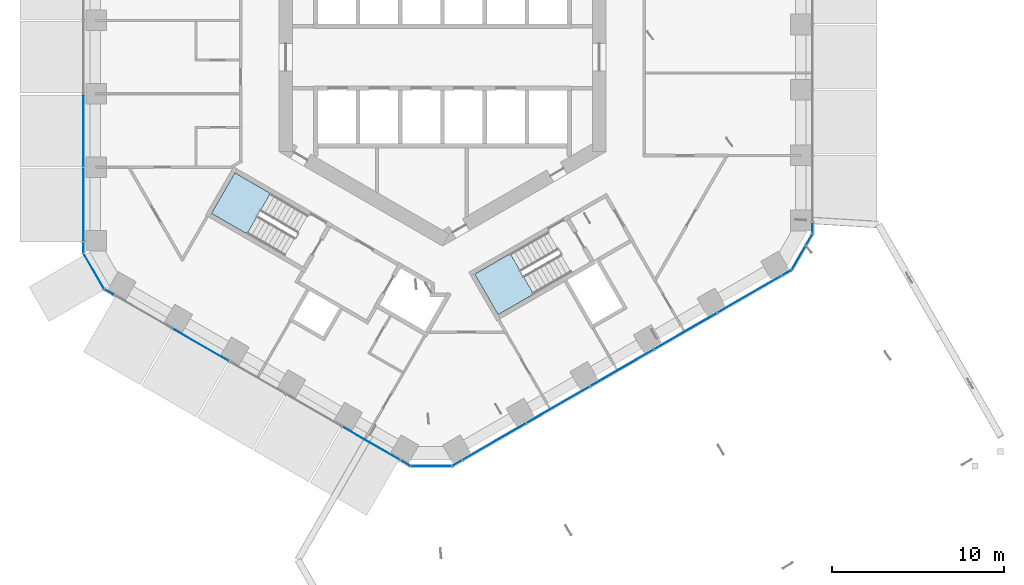
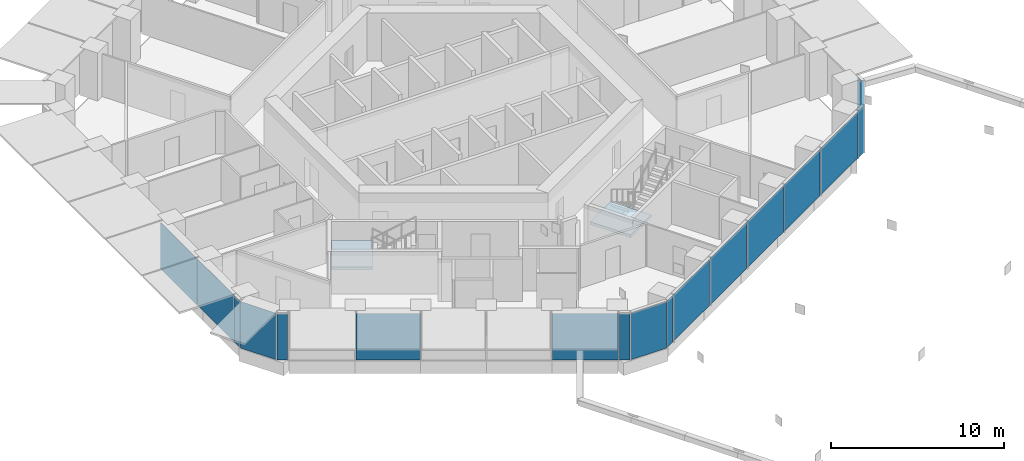
# One storey, part 8 of 22: 18 plates, 2 slabs, 8 elements without a shape of their own.
"""IFC4 building model written with IfcOpenShell, lengths in metres."""

from ifc_helpers import new_model, si_unit, direction, frame, origin, origin_2d, place, context, subcontext, project, spatial, polyline, rectangle, outline, extrude, material, layer, layer_set, type_object, element, aggregate, save


model = new_model("IFC4")

# Units and contexts
model_context = context("Model", 3, precision=1e-05, world=origin(), true_north=direction((0.0, 1.0)))
body_context = subcontext(model_context, "Body", "Model", "MODEL_VIEW")
ifc_project = project(units=[si_unit("LENGTHUNIT", "METRE"), si_unit("AREAUNIT", "SQUARE_METRE"), si_unit("VOLUMEUNIT", "CUBIC_METRE"), si_unit("PLANEANGLEUNIT", "RADIAN"), si_unit("MASSUNIT", "GRAM", prefix="KILO")], contexts=[model_context])

# Site, building, storey
site_placement = place(None, origin())
site = spatial("IfcSite", under=ifc_project, at=site_placement, CompositionType="ELEMENT")
building_placement = place(site_placement, origin())
building = spatial("IfcBuilding", under=site, at=building_placement, Name="Ayvan Gate Tower", CompositionType="ELEMENT")
storey_placement = place(building_placement, frame((0.0, 0.0, 62.89990234375)))
storey = spatial("IfcBuildingStorey", under=building, at=storey_placement, Name="L16", CompositionType="ELEMENT", Elevation=62.89990234375)

# Stair, slab
ifc_material_1 = material(Name="Concrete C40/50", Category="concrete")
stair_type = type_object("IfcStairType", Name="ST-EXIT", PredefinedType="HALF_TURN_STAIR", material=ifc_material_1)
stair_1_placement = place(storey_placement, origin())
stair_1 = element("IfcStair", 1, at=stair_1_placement, inside=storey, type_object=stair_type, Name="L16 Exit Stair S2", PredefinedType="HALF_TURN_STAIR")
ifc_layer_1 = layer(ifc_material_1, 0.199951171875)
ifc_layer_set_1 = layer_set([ifc_layer_1], Name="Concrete C40/50")
slab_type = type_object("IfcSlabType", Name="SL-LANDING-200", PredefinedType="LANDING", material=ifc_layer_set_1)
slab_1_placement = place(storey_placement, frame((0.0, 0.0, 1.5)))
slab_1 = element("IfcSlab", 2, at=slab_1_placement, type_object=slab_type, Name="STS2 landing 1", PredefinedType="LANDING", context=body_context, shape_type="SweptSolid", body=[
    extrude(outline(polyline([(-9.988525390625, -7.91064453125), (-12.049560546875, -6.720458984375), (-13.404541015625, -9.0673828125), (-11.343505859375, -10.257568359375), (-9.988525390625, -7.91064453125)])), origin(), (0.0, 0.0, 1.0), 0.2001953125),
])
aggregate(stair_1, [slab_1])

stair_2_placement = place(storey_placement, origin())
stair_2 = element("IfcStair", 3, at=stair_2_placement, inside=storey, type_object=stair_type, Name="L16 Exit Stair S3", PredefinedType="HALF_TURN_STAIR")
slab_2_placement = place(storey_placement, frame((0.0, 0.0, 1.5)))
slab_2 = element("IfcSlab", 4, at=slab_2_placement, type_object=slab_type, Name="STS3 landing 1", PredefinedType="LANDING", context=body_context, shape_type="SweptSolid", body=[
    extrude(outline(polyline([(3.93505859375, -11.405517578125), (1.873779296875, -12.595458984375), (3.228759765625, -14.9423828125), (5.2900390625, -13.75244140625), (3.93505859375, -11.405517578125)])), origin(), (0.0, 0.0, 1.0), 0.2001953125),
])
aggregate(stair_2, [slab_2])

# Curtain wall, plates
ifc_material_2 = material(Name="Bronze anodised aluminium", Category="aluminium")
ifc_layer_2 = layer(ifc_material_2, 0.199951171875)
ifc_layer_set_2 = layer_set([ifc_layer_2], Name="Bronze anodised aluminium")
curtain_wall_type_1 = type_object("IfcCurtainWallType", Name="Stick curtain wall CW-1", PredefinedType="NOTDEFINED", material=ifc_layer_set_2)
curtain_wall_1_placement = place(storey_placement, origin())
curtain_wall_1 = element("IfcCurtainWall", 5, at=curtain_wall_1_placement, inside=storey, type_object=curtain_wall_type_1, Name="Stick curtain wall CW-1 L16", PredefinedType="NOTDEFINED")
ifc_material_3 = material(Name="Clear low-iron laminated glass", Category="glass")
ifc_layer_3 = layer(ifc_material_3, 0.028076171875)
ifc_layer_set_3 = layer_set([ifc_layer_3], Name="Clear low-iron laminated glass")
plate_type_1 = type_object("IfcPlateType", Name="Stick curtain wall CW-1 glass panel", PredefinedType="CURTAIN_PANEL", material=ifc_layer_set_3)
plate_1_placement = place(storey_placement, frame((-20.831787109375, -4.264404296875, 0.0), z_axis=(0.0, 0.0, 1.0), x_axis=(0.0, -1.0, 0.0)))
plate_1 = element("IfcPlate", 6, at=plate_1_placement, type_object=plate_type_1, Name="CW-1 glass panel 4", PredefinedType="CURTAIN_PANEL", context=body_context, shape_type="SweptSolid", body=[
    extrude(rectangle(XDim=4.205078125, YDim=0.028076171875, at=origin_2d()), origin(), (0.0, 0.0, 1.0), 3.280029296875),
])
plate_2_placement = place(storey_placement, frame((-20.831787109375, -8.56689453125, 0.0), z_axis=(0.0, 0.0, 1.0), x_axis=(0.0, -1.0, 0.0)))
plate_2 = element("IfcPlate", 7, at=plate_2_placement, type_object=plate_type_1, Name="CW-1 glass panel 5", PredefinedType="CURTAIN_PANEL", context=body_context, shape_type="SweptSolid", body=[
    extrude(rectangle(XDim=4.280029296875, YDim=0.028076171875, at=origin_2d()), origin(), (0.0, 0.0, 1.0), 3.280029296875),
])
aggregate(curtain_wall_1, [plate_1, plate_2])

curtain_wall_2_placement = place(storey_placement, origin())
curtain_wall_2 = element("IfcCurtainWall", 8, at=curtain_wall_2_placement, inside=storey, type_object=curtain_wall_type_1, Name="Stick curtain wall CW-1 L16", PredefinedType="NOTDEFINED")
plate_3_placement = place(storey_placement, frame((-14.026611328125, -16.7099609375, 0.0), z_axis=(0.0, 0.0, 1.0), x_axis=(0.866025403784, -0.5, 0.0)))
plate_3 = element("IfcPlate", 9, at=plate_3_placement, type_object=plate_type_1, Name="CW-1 glass panel 2", PredefinedType="CURTAIN_PANEL", context=body_context, shape_type="SweptSolid", body=[
    extrude(rectangle(XDim=3.73193359375, YDim=0.028076171875, at=origin_2d()), origin(), (0.0, 0.0, 1.0), 3.280029296875),
])
plate_4_placement = place(storey_placement, frame((-4.119873046875, -22.4296875, 0.0), z_axis=(0.0, 0.0, 1.0), x_axis=(0.866025403784, -0.5, 0.0)))
plate_4 = element("IfcPlate", 10, at=plate_4_placement, type_object=plate_type_1, Name="CW-1 glass panel 5", PredefinedType="CURTAIN_PANEL", context=body_context, shape_type="SweptSolid", body=[
    extrude(rectangle(XDim=3.858642578125, YDim=0.028076171875, at=origin_2d()), origin(), (0.0, 0.0, 1.0), 3.280029296875),
])
aggregate(curtain_wall_2, [plate_3, plate_4])

curtain_wall_3_placement = place(storey_placement, origin())
curtain_wall_3 = element("IfcCurtainWall", 11, at=curtain_wall_3_placement, inside=storey, type_object=curtain_wall_type_1, Name="Stick curtain wall CW-1 L16", PredefinedType="NOTDEFINED")
plate_5_placement = place(storey_placement, frame((2.99658203125, -22.324462890625, 0.0), z_axis=(0.0, 0.0, 1.0), x_axis=(0.866025403784, 0.5, 0.0)))
plate_5 = element("IfcPlate", 12, at=plate_5_placement, type_object=plate_type_1, Name="CW-1 glass panel 1", PredefinedType="CURTAIN_PANEL", context=body_context, shape_type="SweptSolid", body=[
    extrude(rectangle(XDim=4.280029296875, YDim=0.028076171875, at=origin_2d()), origin(), (0.0, 0.0, 1.0), 3.280029296875),
])
plate_6_placement = place(storey_placement, frame((6.72265625, -20.173095703125, 0.0), z_axis=(0.0, 0.0, 1.0), x_axis=(0.866025403784, 0.5, 0.0)))
plate_6 = element("IfcPlate", 13, at=plate_6_placement, type_object=plate_type_1, Name="CW-1 glass panel 2", PredefinedType="CURTAIN_PANEL", context=body_context, shape_type="SweptSolid", body=[
    extrude(rectangle(XDim=4.205078125, YDim=0.028076171875, at=origin_2d()), origin(), (0.0, 0.0, 1.0), 3.280029296875),
])
plate_7_placement = place(storey_placement, frame((10.415771484375, -18.040771484375, 0.0), z_axis=(0.0, 0.0, 1.0), x_axis=(0.866025403784, 0.5, 0.0)))
plate_7 = element("IfcPlate", 14, at=plate_7_placement, type_object=plate_type_1, Name="CW-1 glass panel 3", PredefinedType="CURTAIN_PANEL", context=body_context, shape_type="SweptSolid", body=[
    extrude(rectangle(XDim=4.2041015625, YDim=0.028076171875, at=origin_2d()), origin(), (0.0, 0.0, 1.0), 3.280029296875),
])
plate_8_placement = place(storey_placement, frame((14.109130859375, -15.90869140625, 0.0), z_axis=(0.0, 0.0, 1.0), x_axis=(0.866025403784, 0.5, 0.0)))
plate_8 = element("IfcPlate", 15, at=plate_8_placement, type_object=plate_type_1, Name="CW-1 glass panel 4", PredefinedType="CURTAIN_PANEL", context=body_context, shape_type="SweptSolid", body=[
    extrude(rectangle(XDim=4.205078125, YDim=0.028076171875, at=origin_2d()), origin(), (0.0, 0.0, 1.0), 3.280029296875),
])
plate_9_placement = place(storey_placement, frame((17.835205078125, -13.75732421875, 0.0), z_axis=(0.0, 0.0, 1.0), x_axis=(0.866025403784, 0.5, 0.0)))
plate_9 = element("IfcPlate", 16, at=plate_9_placement, type_object=plate_type_1, Name="CW-1 glass panel 5", PredefinedType="CURTAIN_PANEL", context=body_context, shape_type="SweptSolid", body=[
    extrude(rectangle(XDim=4.280029296875, YDim=0.028076171875, at=origin_2d()), origin(), (0.0, 0.0, 1.0), 3.280029296875),
])
aggregate(curtain_wall_3, [plate_5, plate_6, plate_7, plate_8, plate_9])

ifc_layer_4 = layer(ifc_material_2, 0.199951171875)
ifc_layer_set_4 = layer_set([ifc_layer_4], Name="Bronze anodised aluminium")
curtain_wall_type_2 = type_object("IfcCurtainWallType", Name="Stick curtain wall CW-6", PredefinedType="NOTDEFINED", material=ifc_layer_set_4)
curtain_wall_4_placement = place(storey_placement, origin())
curtain_wall_4 = element("IfcCurtainWall", 17, at=curtain_wall_4_placement, inside=storey, type_object=curtain_wall_type_2, Name="Stick curtain wall CW-6 L16", PredefinedType="NOTDEFINED")
ifc_layer_5 = layer(ifc_material_3, 0.028076171875)
ifc_layer_set_5 = layer_set([ifc_layer_5], Name="Clear low-iron laminated glass")
plate_type_2 = type_object("IfcPlateType", Name="Stick curtain wall CW-6 glass panel", PredefinedType="CURTAIN_PANEL", material=ifc_layer_set_5)
plate_10_placement = place(storey_placement, frame((-20.831787109375, -11.049560546875, 0.0), z_axis=(0.0, 0.0, 1.0), x_axis=(0.0, -1.0, 0.0)))
plate_10 = element("IfcPlate", 18, at=plate_10_placement, type_object=plate_type_2, Name="CW-6 glass panel 1", PredefinedType="CURTAIN_PANEL", context=body_context, shape_type="SweptSolid", body=[
    extrude(rectangle(XDim=0.625, YDim=0.028076171875, at=origin_2d()), origin(), (0.0, 0.0, 1.0), 3.280029296875),
])
plate_11_placement = place(storey_placement, frame((-20.228271484375, -12.4326171875, 0.0), z_axis=(0.0, 0.0, 1.0), x_axis=(0.5, -0.866025403784, 0.0)))
plate_11 = element("IfcPlate", 19, at=plate_11_placement, type_object=plate_type_2, Name="CW-6 glass panel 2", PredefinedType="CURTAIN_PANEL", context=body_context, shape_type="SweptSolid", body=[
    extrude(rectangle(XDim=2.364501953125, YDim=0.028076171875, at=origin_2d()), origin(), (0.0, 0.0, 1.0), 3.280029296875),
])
plate_12_placement = place(storey_placement, frame((-19.332275390625, -13.646728515625, 0.0), z_axis=(0.0, 0.0, 1.0), x_axis=(0.866025403784, -0.5, 0.0)))
plate_12 = element("IfcPlate", 20, at=plate_12_placement, type_object=plate_type_2, Name="CW-6 glass panel 3", PredefinedType="CURTAIN_PANEL", context=body_context, shape_type="SweptSolid", body=[
    extrude(rectangle(XDim=0.625, YDim=0.028076171875, at=origin_2d()), origin(), (0.0, 0.0, 1.0), 3.280029296875),
])
aggregate(curtain_wall_4, [plate_10, plate_11, plate_12])

curtain_wall_5_placement = place(storey_placement, origin())
curtain_wall_5 = element("IfcCurtainWall", 21, at=curtain_wall_5_placement, inside=storey, type_object=curtain_wall_type_2, Name="Stick curtain wall CW-6 L16", PredefinedType="NOTDEFINED")
plate_13_placement = place(storey_placement, frame((-2.15234375, -23.565673828125, 0.0), z_axis=(0.0, 0.0, 1.0), x_axis=(0.866025403784, -0.5, 0.0)))
plate_13 = element("IfcPlate", 22, at=plate_13_placement, type_object=plate_type_2, Name="CW-6 glass panel 1", PredefinedType="CURTAIN_PANEL", context=body_context, shape_type="SweptSolid", body=[
    extrude(rectangle(XDim=0.625, YDim=0.028076171875, at=origin_2d()), origin(), (0.0, 0.0, 1.0), 3.280029296875),
])
plate_14_placement = place(storey_placement, frame((-0.65283203125, -23.734375, 0.0), z_axis=(0.0, 0.0, 1.0), x_axis=(1.0, 0.0, 0.0)))
plate_14 = element("IfcPlate", 23, at=plate_14_placement, type_object=plate_type_2, Name="CW-6 glass panel 2", PredefinedType="CURTAIN_PANEL", context=body_context, shape_type="SweptSolid", body=[
    extrude(rectangle(XDim=2.364501953125, YDim=0.028076171875, at=origin_2d()), origin(), (0.0, 0.0, 1.0), 3.280029296875),
])
plate_15_placement = place(storey_placement, frame((0.8466796875, -23.565673828125, 0.0), z_axis=(0.0, 0.0, 1.0), x_axis=(0.866025403784, 0.5, 0.0)))
plate_15 = element("IfcPlate", 24, at=plate_15_placement, type_object=plate_type_2, Name="CW-6 glass panel 3", PredefinedType="CURTAIN_PANEL", context=body_context, shape_type="SweptSolid", body=[
    extrude(rectangle(XDim=0.625, YDim=0.028076171875, at=origin_2d()), origin(), (0.0, 0.0, 1.0), 3.280029296875),
])
aggregate(curtain_wall_5, [plate_13, plate_14, plate_15])

curtain_wall_6_placement = place(storey_placement, origin())
curtain_wall_6 = element("IfcCurtainWall", 25, at=curtain_wall_6_placement, inside=storey, type_object=curtain_wall_type_2, Name="Stick curtain wall CW-6 L16", PredefinedType="NOTDEFINED")
plate_16_placement = place(storey_placement, frame((19.985107421875, -12.51611328125, 0.0), z_axis=(0.0, 0.0, 1.0), x_axis=(0.866025403784, 0.5, 0.0)))
plate_16 = element("IfcPlate", 26, at=plate_16_placement, type_object=plate_type_2, Name="CW-6 glass panel 1", PredefinedType="CURTAIN_PANEL", context=body_context, shape_type="SweptSolid", body=[
    extrude(rectangle(XDim=0.625, YDim=0.028076171875, at=origin_2d()), origin(), (0.0, 0.0, 1.0), 3.280029296875),
])
plate_17_placement = place(storey_placement, frame((20.880859375, -11.3017578125, 0.0), z_axis=(0.0, 0.0, 1.0), x_axis=(0.5, 0.866025403784, 0.0)))
plate_17 = element("IfcPlate", 27, at=plate_17_placement, type_object=plate_type_2, Name="CW-6 glass panel 2", PredefinedType="CURTAIN_PANEL", context=body_context, shape_type="SweptSolid", body=[
    extrude(rectangle(XDim=2.364501953125, YDim=0.028076171875, at=origin_2d()), origin(), (0.0, 0.0, 1.0), 3.280029296875),
])
plate_18_placement = place(storey_placement, frame((21.484619140625, -9.918701171875, 0.0), z_axis=(0.0, 0.0, 1.0), x_axis=(0.0, 1.0, 0.0)))
plate_18 = element("IfcPlate", 28, at=plate_18_placement, type_object=plate_type_2, Name="CW-6 glass panel 3", PredefinedType="CURTAIN_PANEL", context=body_context, shape_type="SweptSolid", body=[
    extrude(rectangle(XDim=0.625, YDim=0.028076171875, at=origin_2d()), origin(), (0.0, 0.0, 1.0), 3.280029296875),
])
aggregate(curtain_wall_6, [plate_16, plate_17, plate_18])

save(model, "model.ifc")
